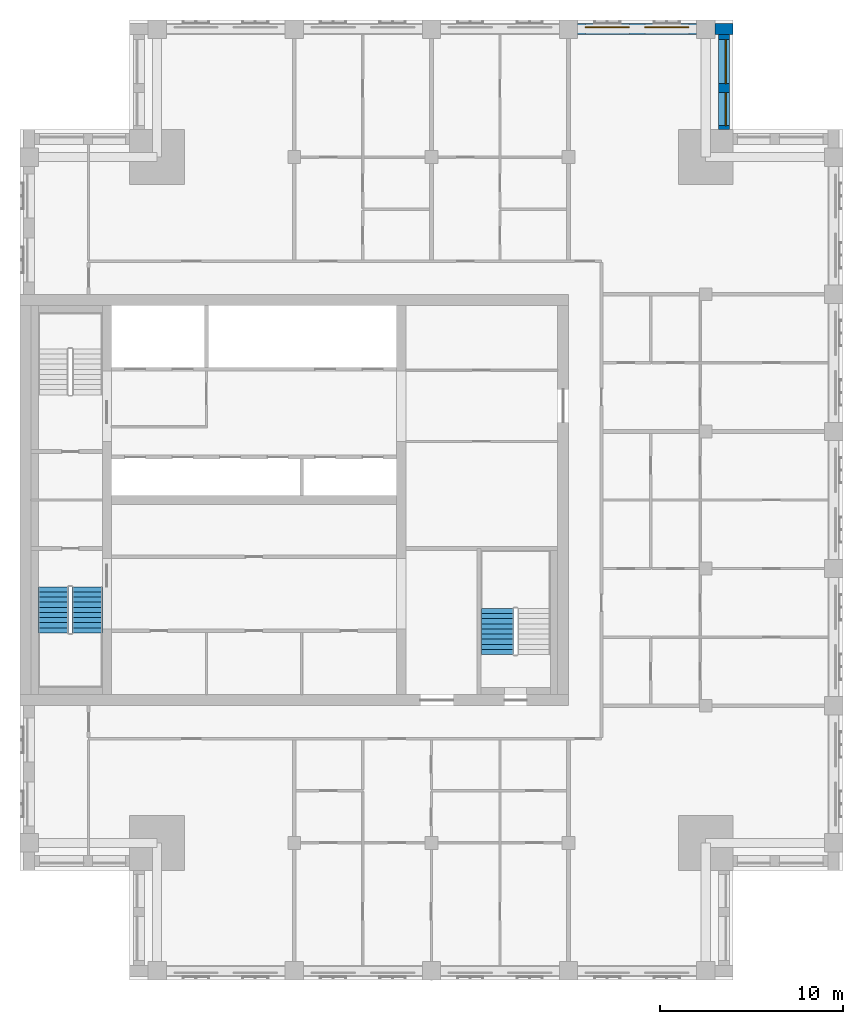
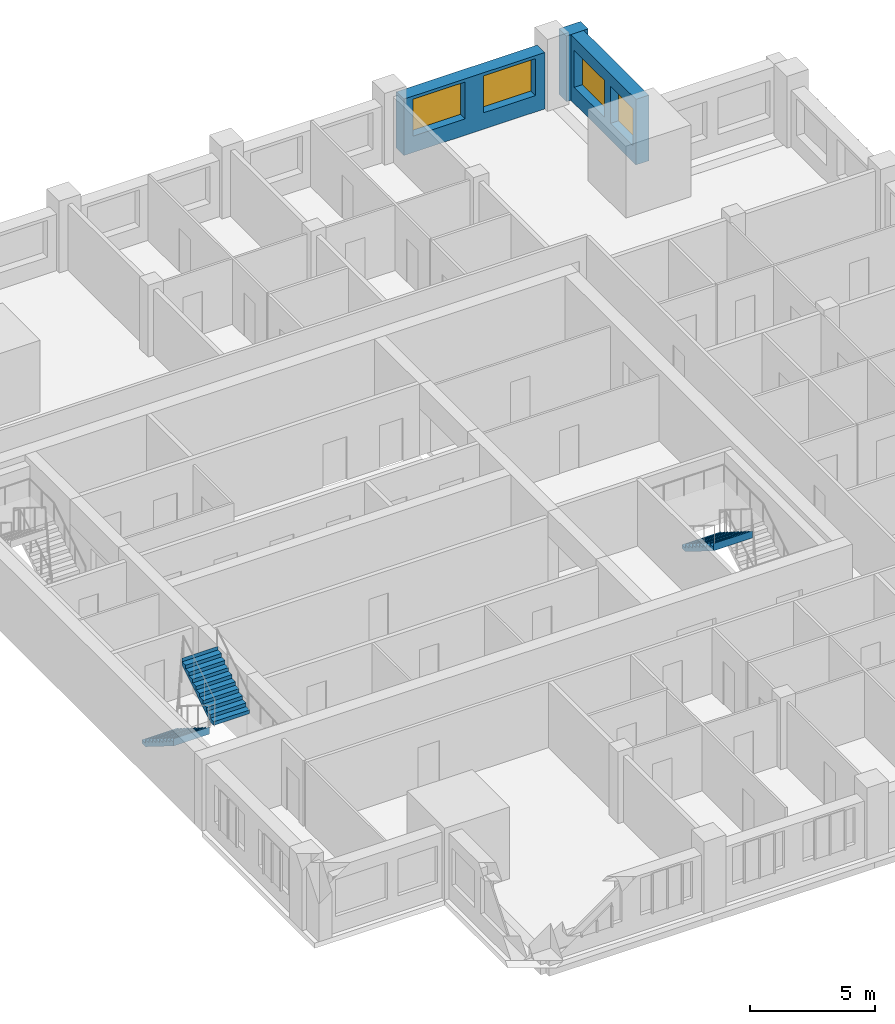
# One storey, part 8 of 10: 4 windows, 3 stair flights, 3 walls, 4 openings, 2 elements without a shape of their own.
"""IFC4 building model written with IfcOpenShell, lengths in metres."""

import ifcopenshell
import ifcopenshell.guid

model = None  # the IFC model being written
_history = None  # IfcOwnerHistory: only IFC2X3 demands one
_inside = {}  # id of a spatial element -> (the spatial element, [elements in it])
_under = {}  # id of a project, library or spatial element -> (it, [spatial elements below it])
_declared = {}  # id of a project -> (the project, [libraries it declares])
_typed = {}  # id of a type object -> (the type object, [elements of that type])
_made_of = {}  # id of a material, layer set ... -> (it, [elements and type objects made of it])


def new_model(schema):
    """Start an empty IFC model of exactly this schema.

    Asked for "IFC4X3", IfcOpenShell would pick the latest addendum, in which some entities
    have other attributes; the version numbers below select the first issue.
    IFC2X3 requires an IfcOwnerHistory on every rooted entity: one is made here for all.
    """
    global model, _history
    if schema == "IFC4X3":
        model = ifcopenshell.file(schema_version=(4, 3, 0, 0))
    else:
        model = ifcopenshell.file(schema=schema)
    _inside.clear()
    _under.clear()
    _declared.clear()
    _typed.clear()
    _made_of.clear()
    _history = None
    if model.schema == "IFC2X3":
        org = make("IfcOrganization", Name="unknown")
        user = make(
            "IfcPersonAndOrganization",
            ThePerson=make("IfcPerson", FamilyName="unknown"),
            TheOrganization=org,
        )
        app = make(
            "IfcApplication",
            ApplicationDeveloper=org,
            Version="unknown",
            ApplicationFullName="unknown",
            ApplicationIdentifier="unknown",
        )
        _history = make(
            "IfcOwnerHistory",
            OwningUser=user,
            OwningApplication=app,
            ChangeAction="ADDED",
            CreationDate=0,
        )
    return model


def make(cls, **values):
    """One entity of the class cls with the attributes given. An attribute that is None is left unset."""
    return model.create_entity(
        cls, **{name: value for name, value in values.items() if value is not None}
    )


def rooted(cls, **values):
    """An entity with a GlobalId (a new one), such as an element, a storey or a relation."""
    return make(cls, GlobalId=ifcopenshell.guid.new(), OwnerHistory=_history, **values)


def si_unit(unit_type, name, prefix=None):
    """IfcSIUnit, for example si_unit("LENGTHUNIT", "METRE", prefix="MILLI")."""
    return make("IfcSIUnit", UnitType=unit_type, Prefix=prefix, Name=name)


def assignment(units):
    """IfcUnitAssignment: the units of a project."""
    return None if units is None else make("IfcUnitAssignment", Units=units)


def point(xyz):
    """IfcCartesianPoint."""
    return None if xyz is None else make("IfcCartesianPoint", Coordinates=xyz)


def direction(xyz):
    """IfcDirection."""
    return None if xyz is None else make("IfcDirection", DirectionRatios=xyz)


def frame(location, z_axis=None, x_axis=None):
    """IfcAxis2Placement3D, a coordinate frame: its origin and axes. An axis left out is left unset."""
    return make(
        "IfcAxis2Placement3D",
        Location=point(location),
        Axis=direction(z_axis),
        RefDirection=direction(x_axis),
    )


def frame_2d(location, x_axis=None):
    """IfcAxis2Placement2D, a coordinate frame in the plane: its origin and x axis."""
    return make(
        "IfcAxis2Placement2D", Location=point(location), RefDirection=direction(x_axis)
    )


def origin():
    """The frame at (0, 0, 0) with its axes left unset."""
    return frame((0.0, 0.0, 0.0))


def place(relative_to, where):
    """IfcLocalPlacement: puts the frame where relative to a parent placement (None: the world)."""
    return make(
        "IfcLocalPlacement", PlacementRelTo=relative_to, RelativePlacement=where
    )


def context(
    kind, dimensions, precision=None, world=None, true_north=None, identifier=None
):
    """IfcGeometricRepresentationContext, for example the 3D "Model" context."""
    return make(
        "IfcGeometricRepresentationContext",
        ContextIdentifier=identifier,
        ContextType=kind,
        CoordinateSpaceDimension=dimensions,
        Precision=precision,
        WorldCoordinateSystem=world,
        TrueNorth=true_north,
    )


def subcontext(parent, identifier, kind, view, scale=None):
    """IfcGeometricRepresentationSubContext, for example "Body" below "Model"."""
    return make(
        "IfcGeometricRepresentationSubContext",
        ContextIdentifier=identifier,
        ContextType=kind,
        ParentContext=parent,
        TargetScale=scale,
        TargetView=view,
    )


def project(units=None, contexts=None):
    """IfcProject with its units and contexts."""
    return rooted(
        "IfcProject",
        Name="project",
        RepresentationContexts=contexts,
        UnitsInContext=assignment(units),
    )


def spatial(cls, under=None, at=None, **own):
    """A site, building, storey or space (cls), placed at a placement, below another one or the project."""
    s = rooted(cls, ObjectPlacement=at, **own)
    if under is not None:
        _under.setdefault(under.id(), (under, []))[1].append(s)
    return s


def polyline(points):
    """IfcPolyline through the points."""
    return make("IfcPolyline", Points=[point(p) for p in points])


def profile(cls, at=None, kind="AREA", **sizes):
    """A parametric profile (cls). Its sizes go by their IFC names, for example OverallWidth=200.0."""
    return make(cls, ProfileType=kind, Position=at, **sizes)


def rectangle(**sizes):
    """IfcRectangleProfileDef."""
    return profile("IfcRectangleProfileDef", **sizes)


def outline(outer, holes=None, kind="AREA"):
    """IfcArbitraryClosedProfileDef: a profile drawn as a closed curve; with holes, ...WithVoids."""
    if holes is None:
        return make("IfcArbitraryClosedProfileDef", ProfileType=kind, OuterCurve=outer)
    return make(
        "IfcArbitraryProfileDefWithVoids",
        ProfileType=kind,
        OuterCurve=outer,
        InnerCurves=holes,
    )


def extrude(swept, where, along, depth):
    """IfcExtrudedAreaSolid: the profile swept, set in the frame where, extruded along a direction by depth."""
    return make(
        "IfcExtrudedAreaSolid",
        SweptArea=swept,
        Position=where,
        ExtrudedDirection=direction(along),
        Depth=depth,
    )


def shape(context_of_items, identifier, shape_type, items):
    """IfcShapeRepresentation: the items that make up one representation, for example the "Body"."""
    return make(
        "IfcShapeRepresentation",
        ContextOfItems=context_of_items,
        RepresentationIdentifier=identifier,
        RepresentationType=shape_type,
        Items=items,
    )


def material(Name=None, Category=None):
    """IfcMaterial."""
    return make("IfcMaterial", Name=Name, Category=Category)


def layer(
    of_material, thickness, ventilated=None, Name=None, Category=None, Priority=None
):
    """IfcMaterialLayer: one layer of a wall or slab, of a material (None: an air gap)."""
    return make(
        "IfcMaterialLayer",
        Material=of_material,
        LayerThickness=thickness,
        IsVentilated=ventilated,
        Name=Name,
        Category=Category,
        Priority=Priority,
    )


def layer_set(layers, Name=None):
    """IfcMaterialLayerSet."""
    return make("IfcMaterialLayerSet", MaterialLayers=layers, LayerSetName=Name)


def made_of(thing, what):
    """Note that an element or type object is made of a material, layer set ...; save() writes the relation."""
    if what is not None:
        _made_of.setdefault(what.id(), (what, []))[1].append(thing)
    return thing


def type_object(cls, material=None, **own):
    """A type object (cls), such as IfcWallType, which elements share."""
    return made_of(rooted(cls, **own), material)


def element(
    cls,
    number,
    at=None,
    inside=None,
    cuts=None,
    type_object=None,
    material=None,
    context=None,
    identifier="Body",
    shape_type=None,
    held_by="IfcProductDefinitionShape",
    body=None,
    shapes=None,
    **own,
):
    """One element of the class cls, such as IfcWall. Its Tag is "e" and its number.

    at: its placement. inside: the storey or other place that contains it. cuts: it is an
    opening in that element (IfcRelVoidsElement). A single representation is given by context,
    identifier, shape_type and body (its items); several are given by shapes. held_by: the class
    of the entity that holds the representations. save() writes the other relations.
    """
    e = rooted(cls, Tag="e%d" % number, ObjectPlacement=at, **own)
    if body is not None:
        shapes = [shape(context, identifier, shape_type, body)]
    if shapes is not None:
        e.Representation = make(held_by, Representations=shapes)
    if inside is not None:
        _inside.setdefault(inside.id(), (inside, []))[1].append(e)
    if cuts is not None:
        rooted(
            "IfcRelVoidsElement", RelatingBuildingElement=cuts, RelatedOpeningElement=e
        )
    if type_object is not None:
        _typed.setdefault(type_object.id(), (type_object, []))[1].append(e)
    return made_of(e, material)


def fill(opening, filler):
    """IfcRelFillsElement: the door or window that sits in an opening."""
    return rooted(
        "IfcRelFillsElement",
        RelatingOpeningElement=opening,
        RelatedBuildingElement=filler,
    )


def aggregate(whole, parts):
    """IfcRelAggregates: a whole, such as a stair, and the parts it consists of."""
    return rooted("IfcRelAggregates", RelatingObject=whole, RelatedObjects=parts)


def save(model, path):
    """Write the relations noted so far, then the file.

    IfcRelAggregates (storeys below a building ...), IfcRelContainedInSpatialStructure (elements
    in a storey), IfcRelDefinesByType, IfcRelAssociatesMaterial and IfcRelDeclares: one each for
    every whole, place, type object, material and project.
    """
    for whole, parts in _under.values():
        aggregate(whole, parts)
    for where, things in _inside.values():
        rooted(
            "IfcRelContainedInSpatialStructure",
            RelatedElements=things,
            RelatingStructure=where,
        )
    for kind, things in _typed.values():
        rooted("IfcRelDefinesByType", RelatedObjects=things, RelatingType=kind)
    for what, things in _made_of.values():
        rooted("IfcRelAssociatesMaterial", RelatedObjects=things, RelatingMaterial=what)
    for by, libraries in _declared.values():
        rooted("IfcRelDeclares", RelatingContext=by, RelatedDefinitions=libraries)
    model.write(path)


model = new_model("IFC4")

# Units and contexts
model_context = context("Model", 3, precision=1e-05, world=origin(), true_north=direction((0.0, 1.0)))
body_context = subcontext(model_context, "Body", "Model", "MODEL_VIEW")
ifc_project = project(units=[si_unit("LENGTHUNIT", "METRE"), si_unit("AREAUNIT", "SQUARE_METRE"), si_unit("VOLUMEUNIT", "CUBIC_METRE"), si_unit("PLANEANGLEUNIT", "RADIAN"), si_unit("MASSUNIT", "GRAM", prefix="KILO")], contexts=[model_context])

# Site, building, storey
site_placement = place(None, origin())
site = spatial("IfcSite", under=ifc_project, at=site_placement, CompositionType="ELEMENT")
building_placement = place(site_placement, origin())
building = spatial("IfcBuilding", under=site, at=building_placement, Name="Tamorin Gate", CompositionType="ELEMENT")
storey_placement = place(building_placement, frame((0.0, 0.0, 283.699951171875)))
storey = spatial("IfcBuildingStorey", under=building, at=storey_placement, Name="L71", CompositionType="ELEMENT", Elevation=283.699951171875)

# Wall, openings, windows
ifc_material_1 = material(Name="Precast concrete C40/50", Category="concrete")
ifc_layer = layer(ifc_material_1, 0.60009765625)
ifc_layer_set = layer_set([ifc_layer], Name="Precast concrete C40/50")
wall_type = type_object("IfcWallType", Name="Board-marked concrete facade panel 600", PredefinedType="SOLIDWALL", material=ifc_layer_set)
wall_1_placement = place(storey_placement, frame((68.5, 91.5, 0.0), z_axis=(0.0, 0.0, 1.0), x_axis=(0.0, 1.0, 0.0)))
wall_1 = element("IfcWall", 1, at=wall_1_placement, inside=storey, type_object=wall_type, Name="Facade panel", PredefinedType="SOLIDWALL", context=body_context, shape_type="SweptSolid", body=[
    extrude(rectangle(XDim=5.199951171875, YDim=0.60009765625, at=frame_2d((2.60009765625, 0.0))), origin(), (0.0, 0.0, 1.0), 3.199951171875),
])
opening_1_placement = place(wall_1_placement, frame((0.22509765625, 0.0, 0.800048828125)))
opening_1 = element("IfcOpeningElement", 2, at=opening_1_placement, cuts=wall_1, Name="Opening WN2", PredefinedType="OPENING", context=body_context, shape_type="SweptSolid", body=[
    extrude(rectangle(XDim=1.800048828125, YDim=1.800048828125, at=frame_2d((0.89990234375, 0.89990234375))), frame((0.0, 0.31005859375, 0.0), z_axis=(0.0, -1.0, 0.0), x_axis=(1.0, 0.0, 0.0)), (0.0, 0.0, 1.0), 0.6201171875),
])
opening_2_placement = place(wall_1_placement, frame((2.52490234375, 0.0, 0.800048828125)))
opening_2 = element("IfcOpeningElement", 3, at=opening_2_placement, cuts=wall_1, Name="Opening WN1", PredefinedType="OPENING", context=body_context, shape_type="SweptSolid", body=[
    extrude(rectangle(XDim=2.39990234375, YDim=1.800048828125, at=frame_2d((1.199951171875, 0.89990234375))), frame((0.0, 0.31005859375, 0.0), z_axis=(0.0, -1.0, 0.0), x_axis=(1.0, 0.0, 0.0)), (0.0, 0.0, 1.0), 0.6201171875),
])
ifc_material_2 = material(Name="Clear glass in aluminium frame", Category="aluminium")
window_type_1 = type_object("IfcWindowType", Name="Deep-set window 1800x1800", PartitioningType="SINGLE_PANEL", PredefinedType="WINDOW", material=ifc_material_2)
window_1_placement = place(opening_1_placement, origin())
window_1 = element("IfcWindow", 4, at=window_1_placement, inside=storey, type_object=window_type_1, Name="Deep-set window", OverallHeight=1.800048828125, OverallWidth=1.800048828125, PartitioningType="SINGLE_PANEL", PredefinedType="WINDOW", context=body_context, shape_type="SweptSolid", body=[
    extrude(rectangle(XDim=1.800048828125, YDim=1.800048828125, at=frame_2d((0.89990234375, 0.89990234375))), frame((0.0, -0.070068359375, 0.0), z_axis=(0.0, -1.0, 0.0), x_axis=(1.0, 0.0, 0.0)), (0.0, 0.0, 1.0), 0.06005859375),
])
fill(opening_1, window_1)
window_type_2 = type_object("IfcWindowType", Name="Deep-set window 2400x1800", PartitioningType="SINGLE_PANEL", PredefinedType="WINDOW", material=ifc_material_2)
window_2_placement = place(opening_2_placement, origin())
window_2 = element("IfcWindow", 5, at=window_2_placement, inside=storey, type_object=window_type_2, Name="Deep-set window", OverallHeight=1.800048828125, OverallWidth=2.39990234375, PartitioningType="SINGLE_PANEL", PredefinedType="WINDOW", context=body_context, shape_type="SweptSolid", body=[
    extrude(rectangle(XDim=2.39990234375, YDim=1.800048828125, at=frame_2d((1.199951171875, 0.89990234375))), frame((0.0, -0.070068359375, 0.0), z_axis=(0.0, -1.0, 0.0), x_axis=(1.0, 0.0, 0.0)), (0.0, 0.0, 1.0), 0.06005859375),
])
fill(opening_2, window_2)

# Wall
wall_2_placement = place(storey_placement, frame((69.0, 97.0, 0.0), z_axis=(0.0, 0.0, 1.0), x_axis=(-1.0, 0.0, 0.0)))
element("IfcWall", 6, at=wall_2_placement, inside=storey, type_object=wall_type, Name="Facade panel", PredefinedType="SOLIDWALL", context=body_context, shape_type="SweptSolid", body=[
    extrude(rectangle(XDim=1.0, YDim=0.60009765625, at=frame_2d((0.5, 0.0))), origin(), (0.0, 0.0, 1.0), 3.199951171875),
])

# Wall, openings, windows
wall_3_placement = place(storey_placement, frame((67.0, 97.0, 0.0), z_axis=(0.0, 0.0, 1.0), x_axis=(-1.0, 0.0, 0.0)))
wall_3 = element("IfcWall", 7, at=wall_3_placement, inside=storey, type_object=wall_type, Name="Facade panel", PredefinedType="SOLIDWALL", context=body_context, shape_type="SweptSolid", body=[
    extrude(rectangle(XDim=6.5, YDim=0.60009765625, at=frame_2d((3.25, 0.0))), origin(), (0.0, 0.0, 1.0), 2.75),
])
opening_3_placement = place(wall_3_placement, frame((3.675048828125, 0.0, 0.800048828125)))
opening_3 = element("IfcOpeningElement", 8, at=opening_3_placement, cuts=wall_3, Name="Opening WN1", PredefinedType="OPENING", context=body_context, shape_type="SweptSolid", body=[
    extrude(rectangle(XDim=2.39990234375, YDim=1.800048828125, at=frame_2d((1.199951171875, 0.89990234375))), frame((0.0, 0.31005859375, 0.0), z_axis=(0.0, -1.0, 0.0), x_axis=(1.0, 0.0, 0.0)), (0.0, 0.0, 1.0), 0.6201171875),
])
opening_4_placement = place(wall_3_placement, frame((0.425048828125, 0.0, 0.800048828125)))
opening_4 = element("IfcOpeningElement", 9, at=opening_4_placement, cuts=wall_3, Name="Opening WN1", PredefinedType="OPENING", context=body_context, shape_type="SweptSolid", body=[
    extrude(rectangle(XDim=2.39990234375, YDim=1.800048828125, at=frame_2d((1.199951171875, 0.89990234375))), frame((0.0, 0.31005859375, 0.0), z_axis=(0.0, -1.0, 0.0), x_axis=(1.0, 0.0, 0.0)), (0.0, 0.0, 1.0), 0.6201171875),
])
window_3_placement = place(opening_3_placement, origin())
window_3 = element("IfcWindow", 10, at=window_3_placement, inside=storey, type_object=window_type_2, Name="Deep-set window", OverallHeight=1.800048828125, OverallWidth=2.39990234375, PartitioningType="SINGLE_PANEL", PredefinedType="WINDOW", context=body_context, shape_type="SweptSolid", body=[
    extrude(rectangle(XDim=2.39990234375, YDim=1.800048828125, at=frame_2d((1.199951171875, 0.89990234375))), frame((0.0, -0.070068359375, 0.0), z_axis=(0.0, -1.0, 0.0), x_axis=(1.0, 0.0, 0.0)), (0.0, 0.0, 1.0), 0.06005859375),
])
fill(opening_3, window_3)
window_4_placement = place(opening_4_placement, origin())
window_4 = element("IfcWindow", 11, at=window_4_placement, inside=storey, type_object=window_type_2, Name="Deep-set window", OverallHeight=1.800048828125, OverallWidth=2.39990234375, PartitioningType="SINGLE_PANEL", PredefinedType="WINDOW", context=body_context, shape_type="SweptSolid", body=[
    extrude(rectangle(XDim=2.39990234375, YDim=1.800048828125, at=frame_2d((1.199951171875, 0.89990234375))), frame((0.0, -0.070068359375, 0.0), z_axis=(0.0, -1.0, 0.0), x_axis=(1.0, 0.0, 0.0)), (0.0, 0.0, 1.0), 0.06005859375),
])
fill(opening_4, window_4)

# Stair, stair flights
ifc_material_3 = material(Name="Concrete C40/50", Category="concrete")
stair_type = type_object("IfcStairType", Name="Exit stair", PredefinedType="HALF_TURN_STAIR", material=ifc_material_3)
stair_1_placement = place(storey_placement, origin())
stair_1 = element("IfcStair", 12, at=stair_1_placement, inside=storey, type_object=stair_type, Name="L71 stair ST1", PredefinedType="HALF_TURN_STAIR")
stair_flight_type = type_object("IfcStairFlightType", Name="Exit stair flight", PredefinedType="STRAIGHT", material=ifc_material_3)
stair_flight_1_placement = place(storey_placement, frame((31.824951171875, 66.5, 0.0), z_axis=(0.0, 0.0, 1.0), x_axis=(0.0, -1.0, 0.0)))
stair_flight_1 = element("IfcStairFlight", 13, at=stair_flight_1_placement, type_object=stair_flight_type, Name="ST1 flight 1", NumberOfRisers=10, NumberOfTreads=9, PredefinedType="STRAIGHT", RiserHeight=0.175, TreadLength=0.28, context=body_context, shape_type="SweptSolid", body=[
    extrude(outline(polyline([(-0.00048828125, 0.0), (-0.00048828125, 0.001708984375), (-0.00048828125, 0.00341796875), (-0.00048828125, 0.005126953125), (-0.00048828125, 0.0068359375), (-0.00048828125, 0.008544921875), (-0.00048828125, 0.010498046875), (-0.00048828125, 0.01220703125), (-0.00048828125, 0.013916015625), (-0.00048828125, 0.015625), (-0.00048828125, 0.017333984375), (-0.00048828125, 0.01904296875), (-0.00048828125, 0.020751953125), (-0.00048828125, 0.0224609375), (-0.00048828125, 0.024169921875), (-0.00048828125, 0.02587890625), (-0.00048828125, 0.02783203125), (-0.00048828125, 0.029541015625), (-0.00048828125, 0.03125), (-0.00048828125, 0.032958984375), (-0.00048828125, 0.03466796875), (-0.00048828125, 0.036376953125), (-0.00048828125, 0.0380859375), (-0.00048828125, 0.039794921875), (-0.00048828125, 0.04150390625), (-0.00048828125, 0.043212890625), (-0.00048828125, 0.045166015625), (-0.00048828125, 0.046875), (-0.00048828125, 0.048583984375), (-0.00048828125, 0.05029296875), (-0.00048828125, 0.052001953125), (-0.00048828125, 0.0537109375), (-0.00048828125, 0.055419921875), (-0.00048828125, 0.05712890625), (-0.00048828125, 0.058837890625), (-0.00048828125, 0.060546875), (-0.00048828125, 0.062255859375), (-0.00048828125, 0.064208984375), (-0.00048828125, 0.06591796875), (-0.00048828125, 0.067626953125), (-0.00048828125, 0.0693359375), (-0.00048828125, 0.071044921875), (-0.00048828125, 0.07275390625), (-0.00048828125, 0.074462890625), (-0.00048828125, 0.076171875), (-0.00048828125, 0.077880859375), (-0.00048828125, 0.07958984375), (-0.00048828125, 0.08154296875), (-0.00048828125, 0.083251953125), (-0.00048828125, 0.0849609375), (-0.00048828125, 0.086669921875), (-0.00048828125, 0.08837890625), (-0.00048828125, 0.090087890625), (-0.00048828125, 0.091796875), (-0.00048828125, 0.093505859375), (-0.00048828125, 0.09521484375), (-0.00048828125, 0.096923828125), (-0.00048828125, 0.098876953125), (-0.00048828125, 0.1005859375), (-0.00048828125, 0.102294921875), (-0.00048828125, 0.10400390625), (-0.00048828125, 0.105712890625), (-0.00048828125, 0.107421875), (-0.00048828125, 0.109130859375), (-0.00048828125, 0.11083984375), (-0.00048828125, 0.112548828125), (-0.00048828125, 0.1142578125), (-0.00048828125, 0.1162109375), (-0.00048828125, 0.117919921875), (-0.00048828125, 0.11962890625), (-0.00048828125, 0.121337890625), (-0.00048828125, 0.123046875), (-0.00048828125, 0.124755859375), (-0.00048828125, 0.12646484375), (-0.00048828125, 0.128173828125), (-0.00048828125, 0.1298828125), (-0.00048828125, 0.131591796875), (-0.00048828125, 0.13330078125), (-0.00048828125, 0.13525390625), (-0.00048828125, 0.136962890625), (-0.00048828125, 0.138671875), (-0.00048828125, 0.140380859375), (-0.00048828125, 0.14208984375), (-0.00048828125, 0.143798828125), (-0.00048828125, 0.1455078125), (-0.00048828125, 0.147216796875), (-0.00048828125, 0.14892578125), (-0.00048828125, 0.150634765625), (-0.00048828125, 0.152587890625), (-0.00048828125, 0.154296875), (-0.00048828125, 0.156005859375), (-0.00048828125, 0.15771484375), (-0.00048828125, 0.159423828125), (-0.00048828125, 0.1611328125), (-0.00048828125, 0.162841796875), (-0.00048828125, 0.16455078125), (-0.00048828125, 0.166259765625), (-0.00048828125, 0.16796875), (-0.00048828125, 0.169921875), (-0.00048828125, 0.171630859375), (-0.00048828125, 0.17333984375), (-0.00048828125, 0.175048828125), (0.280029296875, 0.175048828125), (0.280029296875, 0.35009765625), (0.56005859375, 0.35009765625), (0.56005859375, 0.52490234375), (0.840087890625, 0.52490234375), (0.840087890625, 0.699951171875), (1.1201171875, 0.699951171875), (1.1201171875, 0.875), (1.39990234375, 0.875), (1.39990234375, 1.050048828125), (1.679931640625, 1.050048828125), (1.679931640625, 1.22509765625), (1.9599609375, 1.22509765625), (1.9599609375, 1.39990234375), (2.239990234375, 1.39990234375), (2.239990234375, 1.574951171875), (2.52001953125, 1.574951171875), (2.52001953125, 1.75), (2.5205078125, 1.75), (2.5205078125, 1.74658203125), (2.5205078125, 1.742919921875), (2.5205078125, 1.739501953125), (2.5205078125, 1.736083984375), (2.5205078125, 1.732666015625), (2.5205078125, 1.72900390625), (2.5205078125, 1.7255859375), (2.5205078125, 1.72216796875), (2.5205078125, 1.71875), (2.5205078125, 1.715087890625), (2.5205078125, 1.711669921875), (2.5205078125, 1.708251953125), (2.5205078125, 1.704833984375), (2.5205078125, 1.701171875), (2.5205078125, 1.69775390625), (2.5205078125, 1.6943359375), (2.5205078125, 1.690673828125), (2.5205078125, 1.687255859375), (2.5205078125, 1.683837890625), (2.5205078125, 1.680419921875), (2.5205078125, 1.6767578125), (2.5205078125, 1.67333984375), (2.5205078125, 1.669921875), (2.5205078125, 1.66650390625), (2.5205078125, 1.662841796875), (2.5205078125, 1.659423828125), (2.5205078125, 1.656005859375), (2.5205078125, 1.652587890625), (2.5205078125, 1.64892578125), (2.5205078125, 1.6455078125), (2.5205078125, 1.64208984375), (2.5205078125, 1.638427734375), (2.5205078125, 1.635009765625), (2.5205078125, 1.631591796875), (2.5205078125, 1.628173828125), (2.5205078125, 1.62451171875), (2.5205078125, 1.62109375), (2.5205078125, 1.61767578125), (2.5205078125, 1.6142578125), (2.5205078125, 1.610595703125), (2.5205078125, 1.607177734375), (2.5205078125, 1.603759765625), (2.5205078125, 1.600341796875), (2.5205078125, 1.5966796875), (2.5205078125, 1.59326171875), (2.5205078125, 1.58984375), (2.5205078125, 1.58642578125), (2.5205078125, 1.582763671875), (2.5205078125, 1.579345703125), (2.5205078125, 1.575927734375), (2.5205078125, 1.572265625), (2.5205078125, 1.56884765625), (2.5205078125, 1.5654296875), (2.5205078125, 1.56201171875), (2.5205078125, 1.558349609375), (2.5205078125, 1.554931640625), (2.5205078125, 1.551513671875), (2.5205078125, 1.548095703125), (2.5205078125, 1.54443359375), (2.5205078125, 1.541015625), (2.5205078125, 1.53759765625), (2.5205078125, 1.5341796875), (2.5205078125, 1.530517578125), (2.5205078125, 1.527099609375), (2.5205078125, 1.523681640625), (2.5205078125, 1.52001953125), (2.5205078125, 1.5166015625), (2.5205078125, 1.51318359375), (2.5205078125, 1.509765625), (2.5205078125, 1.506103515625), (2.5205078125, 1.502685546875), (2.5205078125, 1.499267578125), (2.5205078125, 1.495849609375), (2.5205078125, 1.4921875), (2.5205078125, 1.48876953125), (2.5205078125, 1.4853515625), (2.5205078125, 1.48193359375), (2.5205078125, 1.478271484375), (2.5205078125, 1.474853515625), (2.5205078125, 1.471435546875), (2.5205078125, 1.4677734375), (2.5205078125, 1.46435546875), (2.5205078125, 1.4609375), (2.5205078125, 1.45751953125), (2.5205078125, 1.453857421875), (2.5205078125, 1.450439453125), (2.5205078125, 1.447021484375), (2.5205078125, 1.443603515625), (2.5205078125, 1.43994140625), (2.5205078125, 1.4365234375), (2.5205078125, 1.43310546875), (2.5205078125, 1.4296875), (2.5205078125, 1.426025390625), (2.5205078125, 1.422607421875), (2.5205078125, 1.419189453125), (2.5205078125, 1.41552734375), (2.5205078125, 1.412109375), (2.5205078125, 1.40869140625), (2.5205078125, 1.4052734375), (2.5205078125, 1.401611328125), (2.5205078125, 1.398193359375), (2.52001953125, 1.398193359375), (0.28271484375, 0.0), (-0.00048828125, 0.0)])), frame((0.0, 0.824951171875, 0.0), z_axis=(0.0, -1.0, 0.0), x_axis=(1.0, 0.0, 0.0)), (0.0, 0.0, 1.0), 1.64990234375),
])
stair_flight_2_placement = place(storey_placement, frame((33.675048828125, 63.97998046875, 1.75), z_axis=(0.0, 0.0, 1.0), x_axis=(0.0, 1.0, 0.0)))
stair_flight_2 = element("IfcStairFlight", 14, at=stair_flight_2_placement, type_object=stair_flight_type, Name="ST1 flight 2", NumberOfRisers=10, NumberOfTreads=9, PredefinedType="STRAIGHT", RiserHeight=0.175, TreadLength=0.28, context=body_context, shape_type="SweptSolid", body=[
    extrude(outline(polyline([(-0.00048828125, 0.0), (-0.00048828125, 0.001708984375), (-0.00048828125, 0.00341796875), (-0.00048828125, 0.005126953125), (-0.00048828125, 0.0068359375), (-0.00048828125, 0.008544921875), (-0.00048828125, 0.010498046875), (-0.00048828125, 0.01220703125), (-0.00048828125, 0.013916015625), (-0.00048828125, 0.015625), (-0.00048828125, 0.017333984375), (-0.00048828125, 0.01904296875), (-0.00048828125, 0.020751953125), (-0.00048828125, 0.0224609375), (-0.00048828125, 0.024169921875), (-0.00048828125, 0.02587890625), (-0.00048828125, 0.02783203125), (-0.00048828125, 0.029541015625), (-0.00048828125, 0.03125), (-0.00048828125, 0.032958984375), (-0.00048828125, 0.03466796875), (-0.00048828125, 0.036376953125), (-0.00048828125, 0.0380859375), (-0.00048828125, 0.039794921875), (-0.00048828125, 0.04150390625), (-0.00048828125, 0.043212890625), (-0.00048828125, 0.045166015625), (-0.00048828125, 0.046875), (-0.00048828125, 0.048583984375), (-0.00048828125, 0.05029296875), (-0.00048828125, 0.052001953125), (-0.00048828125, 0.0537109375), (-0.00048828125, 0.055419921875), (-0.00048828125, 0.05712890625), (-0.00048828125, 0.058837890625), (-0.00048828125, 0.060546875), (-0.00048828125, 0.062255859375), (-0.00048828125, 0.064208984375), (-0.00048828125, 0.06591796875), (-0.00048828125, 0.067626953125), (-0.00048828125, 0.0693359375), (-0.00048828125, 0.071044921875), (-0.00048828125, 0.07275390625), (-0.00048828125, 0.074462890625), (-0.00048828125, 0.076171875), (-0.00048828125, 0.077880859375), (-0.00048828125, 0.07958984375), (-0.00048828125, 0.08154296875), (-0.00048828125, 0.083251953125), (-0.00048828125, 0.0849609375), (-0.00048828125, 0.086669921875), (-0.00048828125, 0.08837890625), (-0.00048828125, 0.090087890625), (-0.00048828125, 0.091796875), (-0.00048828125, 0.093505859375), (-0.00048828125, 0.09521484375), (-0.00048828125, 0.096923828125), (-0.00048828125, 0.098876953125), (-0.00048828125, 0.1005859375), (-0.00048828125, 0.102294921875), (-0.00048828125, 0.10400390625), (-0.00048828125, 0.105712890625), (-0.00048828125, 0.107421875), (-0.00048828125, 0.109130859375), (-0.00048828125, 0.11083984375), (-0.00048828125, 0.112548828125), (-0.00048828125, 0.1142578125), (-0.00048828125, 0.1162109375), (-0.00048828125, 0.117919921875), (-0.00048828125, 0.11962890625), (-0.00048828125, 0.121337890625), (-0.00048828125, 0.123046875), (-0.00048828125, 0.124755859375), (-0.00048828125, 0.12646484375), (-0.00048828125, 0.128173828125), (-0.00048828125, 0.1298828125), (-0.00048828125, 0.131591796875), (-0.00048828125, 0.13330078125), (-0.00048828125, 0.13525390625), (-0.00048828125, 0.136962890625), (-0.00048828125, 0.138671875), (-0.00048828125, 0.140380859375), (-0.00048828125, 0.14208984375), (-0.00048828125, 0.143798828125), (-0.00048828125, 0.1455078125), (-0.00048828125, 0.147216796875), (-0.00048828125, 0.14892578125), (-0.00048828125, 0.150634765625), (-0.00048828125, 0.152587890625), (-0.00048828125, 0.154296875), (-0.00048828125, 0.156005859375), (-0.00048828125, 0.15771484375), (-0.00048828125, 0.159423828125), (-0.00048828125, 0.1611328125), (-0.00048828125, 0.162841796875), (-0.00048828125, 0.16455078125), (-0.00048828125, 0.166259765625), (-0.00048828125, 0.16796875), (-0.00048828125, 0.169921875), (-0.00048828125, 0.171630859375), (-0.00048828125, 0.17333984375), (-0.00048828125, 0.175048828125), (0.280029296875, 0.175048828125), (0.280029296875, 0.35009765625), (0.56005859375, 0.35009765625), (0.56005859375, 0.52490234375), (0.840087890625, 0.52490234375), (0.840087890625, 0.699951171875), (1.1201171875, 0.699951171875), (1.1201171875, 0.875), (1.39990234375, 0.875), (1.39990234375, 1.050048828125), (1.679931640625, 1.050048828125), (1.679931640625, 1.22509765625), (1.9599609375, 1.22509765625), (1.9599609375, 1.39990234375), (2.239990234375, 1.39990234375), (2.239990234375, 1.574951171875), (2.52001953125, 1.574951171875), (2.52001953125, 1.75), (2.5205078125, 1.75), (2.5205078125, 1.74658203125), (2.5205078125, 1.742919921875), (2.5205078125, 1.739501953125), (2.5205078125, 1.736083984375), (2.5205078125, 1.732666015625), (2.5205078125, 1.72900390625), (2.5205078125, 1.7255859375), (2.5205078125, 1.72216796875), (2.5205078125, 1.71875), (2.5205078125, 1.715087890625), (2.5205078125, 1.711669921875), (2.5205078125, 1.708251953125), (2.5205078125, 1.704833984375), (2.5205078125, 1.701171875), (2.5205078125, 1.69775390625), (2.5205078125, 1.6943359375), (2.5205078125, 1.690673828125), (2.5205078125, 1.687255859375), (2.5205078125, 1.683837890625), (2.5205078125, 1.680419921875), (2.5205078125, 1.6767578125), (2.5205078125, 1.67333984375), (2.5205078125, 1.669921875), (2.5205078125, 1.66650390625), (2.5205078125, 1.662841796875), (2.5205078125, 1.659423828125), (2.5205078125, 1.656005859375), (2.5205078125, 1.652587890625), (2.5205078125, 1.64892578125), (2.5205078125, 1.6455078125), (2.5205078125, 1.64208984375), (2.5205078125, 1.638427734375), (2.5205078125, 1.635009765625), (2.5205078125, 1.631591796875), (2.5205078125, 1.628173828125), (2.5205078125, 1.62451171875), (2.5205078125, 1.62109375), (2.5205078125, 1.61767578125), (2.5205078125, 1.6142578125), (2.5205078125, 1.610595703125), (2.5205078125, 1.607177734375), (2.5205078125, 1.603759765625), (2.5205078125, 1.600341796875), (2.5205078125, 1.5966796875), (2.5205078125, 1.59326171875), (2.5205078125, 1.58984375), (2.5205078125, 1.58642578125), (2.5205078125, 1.582763671875), (2.5205078125, 1.579345703125), (2.5205078125, 1.575927734375), (2.5205078125, 1.572265625), (2.5205078125, 1.56884765625), (2.5205078125, 1.5654296875), (2.5205078125, 1.56201171875), (2.5205078125, 1.558349609375), (2.5205078125, 1.554931640625), (2.5205078125, 1.551513671875), (2.5205078125, 1.548095703125), (2.5205078125, 1.54443359375), (2.5205078125, 1.541015625), (2.5205078125, 1.53759765625), (2.5205078125, 1.5341796875), (2.5205078125, 1.530517578125), (2.5205078125, 1.527099609375), (2.5205078125, 1.523681640625), (2.5205078125, 1.52001953125), (2.5205078125, 1.5166015625), (2.5205078125, 1.51318359375), (2.5205078125, 1.509765625), (2.5205078125, 1.506103515625), (2.5205078125, 1.502685546875), (2.5205078125, 1.499267578125), (2.5205078125, 1.495849609375), (2.5205078125, 1.4921875), (2.5205078125, 1.48876953125), (2.5205078125, 1.4853515625), (2.5205078125, 1.48193359375), (2.5205078125, 1.478271484375), (2.5205078125, 1.474853515625), (2.5205078125, 1.471435546875), (2.5205078125, 1.4677734375), (2.5205078125, 1.46435546875), (2.5205078125, 1.4609375), (2.5205078125, 1.45751953125), (2.5205078125, 1.453857421875), (2.5205078125, 1.450439453125), (2.5205078125, 1.447021484375), (2.5205078125, 1.443603515625), (2.5205078125, 1.43994140625), (2.5205078125, 1.4365234375), (2.5205078125, 1.43310546875), (2.5205078125, 1.4296875), (2.5205078125, 1.426025390625), (2.5205078125, 1.422607421875), (2.5205078125, 1.419189453125), (2.5205078125, 1.41552734375), (2.5205078125, 1.412109375), (2.5205078125, 1.40869140625), (2.5205078125, 1.4052734375), (2.5205078125, 1.401611328125), (2.5205078125, 1.398193359375), (2.52001953125, 1.398193359375), (0.28271484375, 0.0), (-0.00048828125, 0.0)])), frame((0.0, 0.824951171875, 0.0), z_axis=(0.0, -1.0, 0.0), x_axis=(1.0, 0.0, 0.0)), (0.0, 0.0, 1.0), 1.64990234375),
])
aggregate(stair_1, [stair_flight_1, stair_flight_2])

# Stair, stair flight
stair_2_placement = place(storey_placement, origin())
stair_2 = element("IfcStair", 15, at=stair_2_placement, inside=storey, type_object=stair_type, Name="L71 stair ST3", PredefinedType="HALF_TURN_STAIR")
stair_flight_3_placement = place(storey_placement, frame((56.10009765625, 65.320068359375, 1.75), z_axis=(0.0, 0.0, 1.0), x_axis=(0.0, -1.0, 0.0)))
stair_flight_3 = element("IfcStairFlight", 16, at=stair_flight_3_placement, type_object=stair_flight_type, Name="ST3 flight 2", NumberOfRisers=10, NumberOfTreads=9, PredefinedType="STRAIGHT", RiserHeight=0.175, TreadLength=0.28, context=body_context, shape_type="SweptSolid", body=[
    extrude(outline(polyline([(-0.00048828125, 0.0), (-0.00048828125, 0.001708984375), (-0.00048828125, 0.00341796875), (-0.00048828125, 0.005126953125), (-0.00048828125, 0.0068359375), (-0.00048828125, 0.008544921875), (-0.00048828125, 0.010498046875), (-0.00048828125, 0.01220703125), (-0.00048828125, 0.013916015625), (-0.00048828125, 0.015625), (-0.00048828125, 0.017333984375), (-0.00048828125, 0.01904296875), (-0.00048828125, 0.020751953125), (-0.00048828125, 0.0224609375), (-0.00048828125, 0.024169921875), (-0.00048828125, 0.02587890625), (-0.00048828125, 0.02783203125), (-0.00048828125, 0.029541015625), (-0.00048828125, 0.03125), (-0.00048828125, 0.032958984375), (-0.00048828125, 0.03466796875), (-0.00048828125, 0.036376953125), (-0.00048828125, 0.0380859375), (-0.00048828125, 0.039794921875), (-0.00048828125, 0.04150390625), (-0.00048828125, 0.043212890625), (-0.00048828125, 0.045166015625), (-0.00048828125, 0.046875), (-0.00048828125, 0.048583984375), (-0.00048828125, 0.05029296875), (-0.00048828125, 0.052001953125), (-0.00048828125, 0.0537109375), (-0.00048828125, 0.055419921875), (-0.00048828125, 0.05712890625), (-0.00048828125, 0.058837890625), (-0.00048828125, 0.060546875), (-0.00048828125, 0.062255859375), (-0.00048828125, 0.064208984375), (-0.00048828125, 0.06591796875), (-0.00048828125, 0.067626953125), (-0.00048828125, 0.0693359375), (-0.00048828125, 0.071044921875), (-0.00048828125, 0.07275390625), (-0.00048828125, 0.074462890625), (-0.00048828125, 0.076171875), (-0.00048828125, 0.077880859375), (-0.00048828125, 0.07958984375), (-0.00048828125, 0.08154296875), (-0.00048828125, 0.083251953125), (-0.00048828125, 0.0849609375), (-0.00048828125, 0.086669921875), (-0.00048828125, 0.08837890625), (-0.00048828125, 0.090087890625), (-0.00048828125, 0.091796875), (-0.00048828125, 0.093505859375), (-0.00048828125, 0.09521484375), (-0.00048828125, 0.096923828125), (-0.00048828125, 0.098876953125), (-0.00048828125, 0.1005859375), (-0.00048828125, 0.102294921875), (-0.00048828125, 0.10400390625), (-0.00048828125, 0.105712890625), (-0.00048828125, 0.107421875), (-0.00048828125, 0.109130859375), (-0.00048828125, 0.11083984375), (-0.00048828125, 0.112548828125), (-0.00048828125, 0.1142578125), (-0.00048828125, 0.1162109375), (-0.00048828125, 0.117919921875), (-0.00048828125, 0.11962890625), (-0.00048828125, 0.121337890625), (-0.00048828125, 0.123046875), (-0.00048828125, 0.124755859375), (-0.00048828125, 0.12646484375), (-0.00048828125, 0.128173828125), (-0.00048828125, 0.1298828125), (-0.00048828125, 0.131591796875), (-0.00048828125, 0.13330078125), (-0.00048828125, 0.13525390625), (-0.00048828125, 0.136962890625), (-0.00048828125, 0.138671875), (-0.00048828125, 0.140380859375), (-0.00048828125, 0.14208984375), (-0.00048828125, 0.143798828125), (-0.00048828125, 0.1455078125), (-0.00048828125, 0.147216796875), (-0.00048828125, 0.14892578125), (-0.00048828125, 0.150634765625), (-0.00048828125, 0.152587890625), (-0.00048828125, 0.154296875), (-0.00048828125, 0.156005859375), (-0.00048828125, 0.15771484375), (-0.00048828125, 0.159423828125), (-0.00048828125, 0.1611328125), (-0.00048828125, 0.162841796875), (-0.00048828125, 0.16455078125), (-0.00048828125, 0.166259765625), (-0.00048828125, 0.16796875), (-0.00048828125, 0.169921875), (-0.00048828125, 0.171630859375), (-0.00048828125, 0.17333984375), (-0.00048828125, 0.175048828125), (0.280029296875, 0.175048828125), (0.280029296875, 0.35009765625), (0.56005859375, 0.35009765625), (0.56005859375, 0.52490234375), (0.840087890625, 0.52490234375), (0.840087890625, 0.699951171875), (1.1201171875, 0.699951171875), (1.1201171875, 0.875), (1.39990234375, 0.875), (1.39990234375, 1.050048828125), (1.679931640625, 1.050048828125), (1.679931640625, 1.22509765625), (1.9599609375, 1.22509765625), (1.9599609375, 1.39990234375), (2.239990234375, 1.39990234375), (2.239990234375, 1.574951171875), (2.52001953125, 1.574951171875), (2.52001953125, 1.75), (2.5205078125, 1.75), (2.5205078125, 1.74658203125), (2.5205078125, 1.742919921875), (2.5205078125, 1.739501953125), (2.5205078125, 1.736083984375), (2.5205078125, 1.732666015625), (2.5205078125, 1.72900390625), (2.5205078125, 1.7255859375), (2.5205078125, 1.72216796875), (2.5205078125, 1.71875), (2.5205078125, 1.715087890625), (2.5205078125, 1.711669921875), (2.5205078125, 1.708251953125), (2.5205078125, 1.704833984375), (2.5205078125, 1.701171875), (2.5205078125, 1.69775390625), (2.5205078125, 1.6943359375), (2.5205078125, 1.690673828125), (2.5205078125, 1.687255859375), (2.5205078125, 1.683837890625), (2.5205078125, 1.680419921875), (2.5205078125, 1.6767578125), (2.5205078125, 1.67333984375), (2.5205078125, 1.669921875), (2.5205078125, 1.66650390625), (2.5205078125, 1.662841796875), (2.5205078125, 1.659423828125), (2.5205078125, 1.656005859375), (2.5205078125, 1.652587890625), (2.5205078125, 1.64892578125), (2.5205078125, 1.6455078125), (2.5205078125, 1.64208984375), (2.5205078125, 1.638427734375), (2.5205078125, 1.635009765625), (2.5205078125, 1.631591796875), (2.5205078125, 1.628173828125), (2.5205078125, 1.62451171875), (2.5205078125, 1.62109375), (2.5205078125, 1.61767578125), (2.5205078125, 1.6142578125), (2.5205078125, 1.610595703125), (2.5205078125, 1.607177734375), (2.5205078125, 1.603759765625), (2.5205078125, 1.600341796875), (2.5205078125, 1.5966796875), (2.5205078125, 1.59326171875), (2.5205078125, 1.58984375), (2.5205078125, 1.58642578125), (2.5205078125, 1.582763671875), (2.5205078125, 1.579345703125), (2.5205078125, 1.575927734375), (2.5205078125, 1.572265625), (2.5205078125, 1.56884765625), (2.5205078125, 1.5654296875), (2.5205078125, 1.56201171875), (2.5205078125, 1.558349609375), (2.5205078125, 1.554931640625), (2.5205078125, 1.551513671875), (2.5205078125, 1.548095703125), (2.5205078125, 1.54443359375), (2.5205078125, 1.541015625), (2.5205078125, 1.53759765625), (2.5205078125, 1.5341796875), (2.5205078125, 1.530517578125), (2.5205078125, 1.527099609375), (2.5205078125, 1.523681640625), (2.5205078125, 1.52001953125), (2.5205078125, 1.5166015625), (2.5205078125, 1.51318359375), (2.5205078125, 1.509765625), (2.5205078125, 1.506103515625), (2.5205078125, 1.502685546875), (2.5205078125, 1.499267578125), (2.5205078125, 1.495849609375), (2.5205078125, 1.4921875), (2.5205078125, 1.48876953125), (2.5205078125, 1.4853515625), (2.5205078125, 1.48193359375), (2.5205078125, 1.478271484375), (2.5205078125, 1.474853515625), (2.5205078125, 1.471435546875), (2.5205078125, 1.4677734375), (2.5205078125, 1.46435546875), (2.5205078125, 1.4609375), (2.5205078125, 1.45751953125), (2.5205078125, 1.453857421875), (2.5205078125, 1.450439453125), (2.5205078125, 1.447021484375), (2.5205078125, 1.443603515625), (2.5205078125, 1.43994140625), (2.5205078125, 1.4365234375), (2.5205078125, 1.43310546875), (2.5205078125, 1.4296875), (2.5205078125, 1.426025390625), (2.5205078125, 1.422607421875), (2.5205078125, 1.419189453125), (2.5205078125, 1.41552734375), (2.5205078125, 1.412109375), (2.5205078125, 1.40869140625), (2.5205078125, 1.4052734375), (2.5205078125, 1.401611328125), (2.5205078125, 1.398193359375), (2.52001953125, 1.398193359375), (0.28271484375, 0.0), (-0.00048828125, 0.0)])), frame((0.0, 0.89990234375, 0.0), z_axis=(0.0, -1.0, 0.0), x_axis=(1.0, 0.0, 0.0)), (0.0, 0.0, 1.0), 1.800048828125),
])
aggregate(stair_2, [stair_flight_3])

save(model, "model.ifc")
